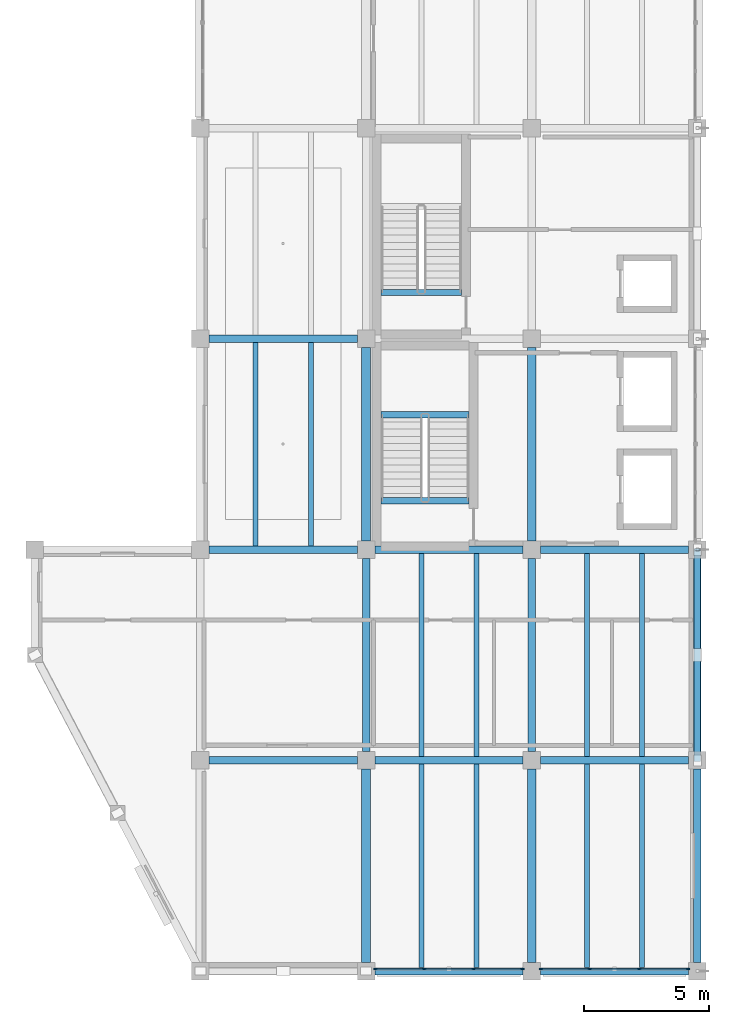
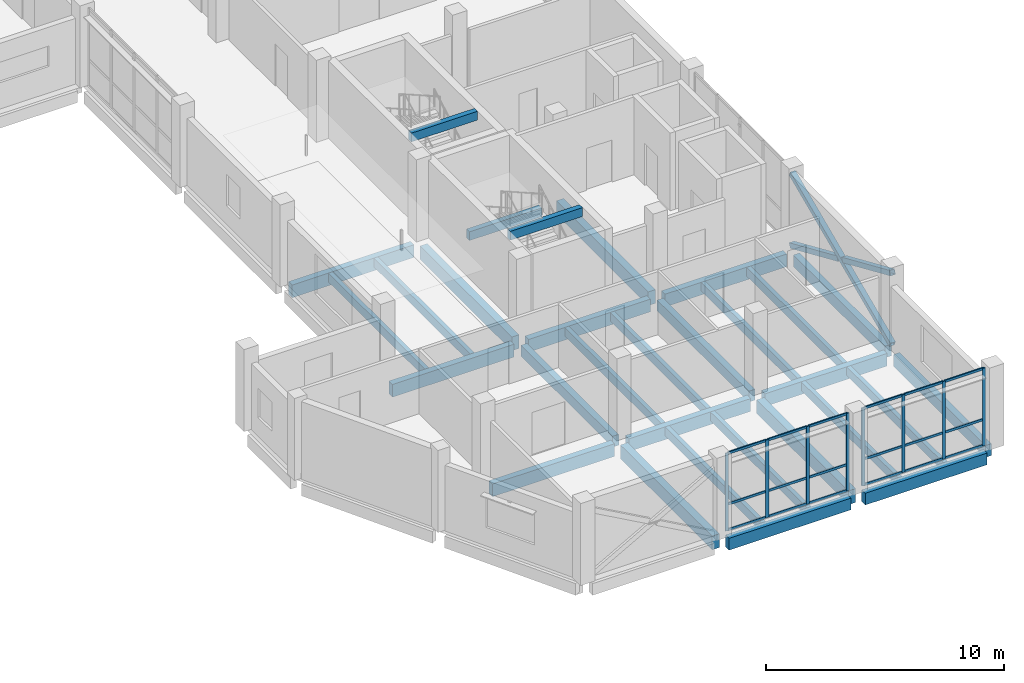
# One storey, part 16 of 47: 30 beams, 29 members, 2 elements without a shape of their own.
"""IFC4 building model written with IfcOpenShell, lengths in metres."""

from ifc_helpers import new_model, si_unit, direction, frame, origin, origin_2d, place, context, subcontext, project, spatial, rectangle, hollow_rectangle, extrude, material, material_profile, profile_set, type_object, element, aggregate, save


model = new_model("IFC4")

# Units and contexts
model_context = context("Model", 3, precision=1e-05, world=origin(), true_north=direction((0.0, 1.0)))
body_context = subcontext(model_context, "Body", "Model", "MODEL_VIEW")
ifc_project = project(units=[si_unit("LENGTHUNIT", "METRE"), si_unit("AREAUNIT", "SQUARE_METRE"), si_unit("VOLUMEUNIT", "CUBIC_METRE"), si_unit("PLANEANGLEUNIT", "RADIAN"), si_unit("MASSUNIT", "GRAM", prefix="KILO")], contexts=[model_context])

# Site, building, storey
site_placement = place(None, origin())
site = spatial("IfcSite", under=ifc_project, at=site_placement, CompositionType="ELEMENT")
building_placement = place(site_placement, origin())
building = spatial("IfcBuilding", under=site, at=building_placement, Name="Qaldarim Faculty of Natural and Applied Sciences", CompositionType="ELEMENT")
storey_placement = place(building_placement, frame((0.0, 0.0, 22.800048828125)))
storey = spatial("IfcBuildingStorey", under=building, at=storey_placement, Name="L05", CompositionType="ELEMENT", Elevation=22.800048828125)

# Beams
ifc_material_1 = material(Name="Concrete C40/50", Category="concrete")
ifc_material_profile_1 = material_profile(ifc_material_1, rectangle(XDim=0.300048828125, YDim=0.550048828125, at=origin_2d()), Name="RC-B300x550")
ifc_profile_set_1 = profile_set([ifc_material_profile_1], Name="Concrete C40/50")
beam_type_1 = type_object("IfcBeamType", Name="FloorBeam-RC300x550", PredefinedType="BEAM", material=ifc_profile_set_1)
for number, where, z_axis, x_axis, name in (
    (1, (165.0, 8.75, -0.53515625), (0.0, 1.0, 0.0), (-1.0, 0.0, 0.0), "Beam RC-B300x550 L04 X26/Y02-Y03"),
    (2, (171.60009765625, 8.75, -0.53515625), (0.0, 1.0, 0.0), (-1.0, 0.0, 0.0), "Beam RC-B300x550 L04 X27/Y02-Y03"),
):
    element("IfcBeam", number, at=place(storey_placement, frame(where, z_axis=z_axis, x_axis=x_axis)), inside=storey, type_object=beam_type_1, Name=name, PredefinedType="BEAM", context=body_context, shape_type="SweptSolid", body=[
        extrude(rectangle(XDim=0.300048828125, YDim=0.550048828125, at=origin_2d()), origin(), (0.0, 0.0, 1.0), 7.699951171875),
    ])
ifc_material_profile_2 = material_profile(ifc_material_1, rectangle(XDim=0.199951171875, YDim=0.449951171875, at=origin_2d()), Name="RC-J200x450")
ifc_profile_set_2 = profile_set([ifc_material_profile_2], Name="Concrete C40/50")
beam_type_2 = type_object("IfcBeamType", Name="LabJoist-RC200x450", PredefinedType="JOIST", material=ifc_profile_set_2)
for number, where, z_axis, x_axis, name in (
    (3, (160.60009765625, 16.949951171875, -0.485107421875), (0.0, 1.0, 0.0), (-1.0, 0.0, 0.0), "Laboratory joist L04 bay X25Y03-1"),
    (4, (162.800048828125, 16.949951171875, -0.485107421875), (0.0, 1.0, 0.0), (-1.0, 0.0, 0.0), "Laboratory joist L04 bay X25Y03-2"),
    (5, (167.199951171875, 0.14990234375, -0.485107421875), (0.0, 1.0, 0.0), (-1.0, 0.0, 0.0), "Laboratory joist L04 bay X26Y01-1"),
    (6, (169.39990234375, 0.14990234375, -0.485107421875), (0.0, 1.0, 0.0), (-1.0, 0.0, 0.0), "Laboratory joist L04 bay X26Y01-2"),
):
    element("IfcBeam", number, at=place(storey_placement, frame(where, z_axis=z_axis, x_axis=x_axis)), inside=storey, type_object=beam_type_2, Name=name, PredefinedType="JOIST", context=body_context, shape_type="SweptSolid", body=[
        extrude(rectangle(XDim=0.199951171875, YDim=0.449951171875, at=origin_2d()), origin(), (0.0, 0.0, 1.0), 8.10009765625),
    ])
for number, where, z_axis, x_axis, name in (
    (7, (167.199951171875, 8.550048828125, -0.485107421875), (0.0, 1.0, 0.0), (-1.0, 0.0, 0.0), "Laboratory joist L04 bay X26Y02-1"),
    (8, (169.39990234375, 8.550048828125, -0.485107421875), (0.0, 1.0, 0.0), (-1.0, 0.0, 0.0), "Laboratory joist L04 bay X26Y02-2"),
):
    element("IfcBeam", number, at=place(storey_placement, frame(where, z_axis=z_axis, x_axis=x_axis)), inside=storey, type_object=beam_type_2, Name=name, PredefinedType="JOIST", context=body_context, shape_type="SweptSolid", body=[
        extrude(rectangle(XDim=0.199951171875, YDim=0.449951171875, at=origin_2d()), origin(), (0.0, 0.0, 1.0), 8.099853515625),
    ])
for number, where, z_axis, x_axis, name in (
    (9, (173.800048828125, 0.14990234375, -0.485107421875), (0.0, 1.0, 0.0), (-1.0, 0.0, 0.0), "Laboratory joist L04 bay X27Y01-1"),
    (10, (176.0, 0.14990234375, -0.485107421875), (0.0, 1.0, 0.0), (-1.0, 0.0, 0.0), "Laboratory joist L04 bay X27Y01-2"),
):
    element("IfcBeam", number, at=place(storey_placement, frame(where, z_axis=z_axis, x_axis=x_axis)), inside=storey, type_object=beam_type_2, Name=name, PredefinedType="JOIST", context=body_context, shape_type="SweptSolid", body=[
        extrude(rectangle(XDim=0.199951171875, YDim=0.449951171875, at=origin_2d()), origin(), (0.0, 0.0, 1.0), 8.10009765625),
    ])
for number, where, z_axis, x_axis, name in (
    (11, (173.800048828125, 8.550048828125, -0.485107421875), (0.0, 1.0, 0.0), (-1.0, 0.0, 0.0), "Laboratory joist L04 bay X27Y02-1"),
    (12, (176.0, 8.550048828125, -0.485107421875), (0.0, 1.0, 0.0), (-1.0, 0.0, 0.0), "Laboratory joist L04 bay X27Y02-2"),
):
    element("IfcBeam", number, at=place(storey_placement, frame(where, z_axis=z_axis, x_axis=x_axis)), inside=storey, type_object=beam_type_2, Name=name, PredefinedType="JOIST", context=body_context, shape_type="SweptSolid", body=[
        extrude(rectangle(XDim=0.199951171875, YDim=0.449951171875, at=origin_2d()), origin(), (0.0, 0.0, 1.0), 8.099853515625),
    ])
ifc_material_profile_3 = material_profile(ifc_material_1, rectangle(XDim=0.25, YDim=0.449951171875, at=origin_2d()), Name="RC-LN250x450")
ifc_profile_set_3 = profile_set([ifc_material_profile_3], Name="Concrete C40/50")
beam_type_3 = type_object("IfcBeamType", Name="LandingSupportBeam-RC250x450", PredefinedType="BEAM", material=ifc_profile_set_3)
for number, where, z_axis, x_axis, name in (
    (13, (165.60009765625, 22.169921875, 1.6650390625), (1.0, 0.0, 0.0), (0.0, 1.0, 0.0), "Stair landing support beam ST-A1 L05"),
    (14, (165.60009765625, 18.75, 3.7548828125), (1.0, 0.0, 0.0), (0.0, 1.0, 0.0), "Stair arrival support beam ST-A1 L05"),
):
    element("IfcBeam", number, at=place(storey_placement, frame(where, z_axis=z_axis, x_axis=x_axis)), inside=storey, type_object=beam_type_3, Name=name, PredefinedType="BEAM", context=body_context, shape_type="SweptSolid", body=[
        extrude(rectangle(XDim=0.25, YDim=0.449951171875, at=origin_2d()), origin(), (0.0, 0.0, 1.0), 3.5),
    ])
beam_1_placement = place(storey_placement, frame((165.60009765625, 27.050048828125, 3.7548828125), z_axis=(1.0, 0.0, 0.0), x_axis=(0.0, 1.0, 0.0)))
element("IfcBeam", 15, at=beam_1_placement, inside=storey, type_object=beam_type_3, Name="Stair arrival support beam ST-A2 L05", PredefinedType="BEAM", context=body_context, shape_type="SweptSolid", body=[
    extrude(rectangle(XDim=0.25, YDim=0.449951171875, at=origin_2d()), origin(), (0.0, 0.0, 1.0), 3.199951171875),
])

# Members
ifc_material_2 = material(Name="Structural steel S355", Category="steel")
ifc_material_profile_4 = material_profile(ifc_material_2, hollow_rectangle(XDim=0.25, YDim=0.25, WallThickness=0.01611328125, at=origin_2d()), Name="SHS 250x250x16.0")
ifc_profile_set_4 = profile_set([ifc_material_profile_4], Name="Structural steel S355")
member_type_1 = type_object("IfcMemberType", Name="MidWingBrace-SHS250x16", PredefinedType="BRACE", material=ifc_profile_set_4)
member_1_placement = place(storey_placement, frame((178.199951171875, 8.39990234375, 0.0), z_axis=(0.0, 0.915962323067, 0.401264280396), x_axis=(-1.0, 0.0, 0.0)))
element("IfcMember", 16, at=member_1_placement, inside=storey, type_object=member_type_1, Name="East diagrid L05 primary brace L", PredefinedType="BRACE", context=body_context, shape_type="SweptSolid", body=[
    extrude(hollow_rectangle(XDim=0.25, YDim=0.25, WallThickness=0.01611328125, at=origin_2d()), origin(), (0.0, 0.0, 1.0), 9.1708984375),
])
for number, where, z_axis, x_axis, name in (
    (17, (178.199951171875, 16.800048828125, 0.0), (0.0, -0.916157334902, 0.40081883402), (1.0, 0.0, 0.0), "East diagrid L05 split secondary lower brace R1"),
    (18, (178.199951171875, 12.39990234375, 1.929931640625), (0.0, -0.916157334902, 0.40081883402), (1.0, 0.0, 0.0), "East diagrid L05 split secondary upper brace R2"),
):
    element("IfcMember", number, at=place(storey_placement, frame(where, z_axis=z_axis, x_axis=x_axis)), inside=storey, type_object=member_type_1, Name=name, PredefinedType="BRACE", context=body_context, shape_type="SweptSolid", body=[
        extrude(hollow_rectangle(XDim=0.25, YDim=0.25, WallThickness=0.01611328125, at=origin_2d()), origin(), (0.0, 0.0, 1.0), 4.365966796875),
    ])

# Curtain wall, members
ifc_material_3 = material(Name="Anodised aluminium AW-6063", Category="aluminium")
curtain_wall_type = type_object("IfcCurtainWallType", Name="CurtainWallSystem-M1800", PredefinedType="USERDEFINED", material=ifc_material_3)
curtain_wall_1_placement = place(storey_placement, origin())
curtain_wall_1 = element("IfcCurtainWall", 19, at=curtain_wall_1_placement, inside=storey, type_object=curtain_wall_type, Name="Curtain wall CW-L05-S-X26Y01", ObjectType="UNITISED FACADE", PredefinedType="USERDEFINED")
ifc_material_profile_5 = material_profile(ifc_material_3, rectangle(XDim=0.06005859375, YDim=0.14990234375, at=origin_2d()), Name="ALU-M60x150")
ifc_profile_set_5 = profile_set([ifc_material_profile_5], Name="Anodised aluminium AW-6063")
member_type_2 = type_object("IfcMemberType", Name="Mullion-ALU60x150", PredefinedType="MULLION", material=ifc_profile_set_5)
member_2_placement = place(storey_placement, frame((165.375, 0.080078125, 0.0), z_axis=(0.0, 0.0, 1.0), x_axis=(0.0, 1.0, 0.0)))
member_2 = element("IfcMember", 20, at=member_2_placement, type_object=member_type_2, Name="Mullion 1 of CW-L05-S-X26Y01", PredefinedType="MULLION", context=body_context, shape_type="SweptSolid", body=[
    extrude(rectangle(XDim=0.06005859375, YDim=0.14990234375, at=origin_2d()), origin(), (0.0, 0.0, 1.0), 3.97998046875),
])
member_3_placement = place(storey_placement, frame((167.31494140625, 0.080078125, 0.0), z_axis=(0.0, 0.0, 1.0), x_axis=(0.0, 1.0, 0.0)))
member_3 = element("IfcMember", 21, at=member_3_placement, type_object=member_type_2, Name="Mullion 2 of CW-L05-S-X26Y01", PredefinedType="MULLION", context=body_context, shape_type="SweptSolid", body=[
    extrude(rectangle(XDim=0.06005859375, YDim=0.14990234375, at=origin_2d()), origin(), (0.0, 0.0, 1.0), 3.97998046875),
])
member_4_placement = place(storey_placement, frame((169.284912109375, 0.080078125, 0.0), z_axis=(0.0, 0.0, 1.0), x_axis=(0.0, 1.0, 0.0)))
member_4 = element("IfcMember", 22, at=member_4_placement, type_object=member_type_2, Name="Mullion 3 of CW-L05-S-X26Y01", PredefinedType="MULLION", context=body_context, shape_type="SweptSolid", body=[
    extrude(rectangle(XDim=0.06005859375, YDim=0.14990234375, at=origin_2d()), origin(), (0.0, 0.0, 1.0), 3.97998046875),
])
member_5_placement = place(storey_placement, frame((171.22509765625, 0.080078125, 0.0), z_axis=(0.0, 0.0, 1.0), x_axis=(0.0, 1.0, 0.0)))
member_5 = element("IfcMember", 23, at=member_5_placement, type_object=member_type_2, Name="Mullion 4 of CW-L05-S-X26Y01", PredefinedType="MULLION", context=body_context, shape_type="SweptSolid", body=[
    extrude(rectangle(XDim=0.06005859375, YDim=0.14990234375, at=origin_2d()), origin(), (0.0, 0.0, 1.0), 3.97998046875),
])

curtain_wall_2_placement = place(storey_placement, origin())
curtain_wall_2 = element("IfcCurtainWall", 24, at=curtain_wall_2_placement, inside=storey, type_object=curtain_wall_type, Name="Curtain wall CW-L05-S-X27Y01", ObjectType="UNITISED FACADE", PredefinedType="USERDEFINED")
member_6_placement = place(storey_placement, frame((171.97509765625, 0.080078125, 0.0), z_axis=(0.0, 0.0, 1.0), x_axis=(0.0, 1.0, 0.0)))
member_6 = element("IfcMember", 25, at=member_6_placement, type_object=member_type_2, Name="Mullion 1 of CW-L05-S-X27Y01", PredefinedType="MULLION", context=body_context, shape_type="SweptSolid", body=[
    extrude(rectangle(XDim=0.06005859375, YDim=0.14990234375, at=origin_2d()), origin(), (0.0, 0.0, 1.0), 3.97998046875),
])
member_7_placement = place(storey_placement, frame((173.9150390625, 0.080078125, 0.0), z_axis=(0.0, 0.0, 1.0), x_axis=(0.0, 1.0, 0.0)))
member_7 = element("IfcMember", 26, at=member_7_placement, type_object=member_type_2, Name="Mullion 2 of CW-L05-S-X27Y01", PredefinedType="MULLION", context=body_context, shape_type="SweptSolid", body=[
    extrude(rectangle(XDim=0.06005859375, YDim=0.14990234375, at=origin_2d()), origin(), (0.0, 0.0, 1.0), 3.97998046875),
])
member_8_placement = place(storey_placement, frame((175.885009765625, 0.080078125, 0.0), z_axis=(0.0, 0.0, 1.0), x_axis=(0.0, 1.0, 0.0)))
member_8 = element("IfcMember", 27, at=member_8_placement, type_object=member_type_2, Name="Mullion 3 of CW-L05-S-X27Y01", PredefinedType="MULLION", context=body_context, shape_type="SweptSolid", body=[
    extrude(rectangle(XDim=0.06005859375, YDim=0.14990234375, at=origin_2d()), origin(), (0.0, 0.0, 1.0), 3.97998046875),
])
member_9_placement = place(storey_placement, frame((177.824951171875, 0.080078125, 0.0), z_axis=(0.0, 0.0, 1.0), x_axis=(0.0, 1.0, 0.0)))
member_9 = element("IfcMember", 28, at=member_9_placement, type_object=member_type_2, Name="Mullion 4 of CW-L05-S-X27Y01", PredefinedType="MULLION", context=body_context, shape_type="SweptSolid", body=[
    extrude(rectangle(XDim=0.06005859375, YDim=0.14990234375, at=origin_2d()), origin(), (0.0, 0.0, 1.0), 3.97998046875),
])

# Beams
ifc_material_profile_6 = material_profile(ifc_material_1, rectangle(XDim=0.300048828125, YDim=0.64990234375, at=origin_2d()), Name="RC-B300x650")
ifc_profile_set_6 = profile_set([ifc_material_profile_6], Name="Concrete C40/50")
beam_type_4 = type_object("IfcBeamType", Name="PrimaryBeam-RC300x650", PredefinedType="BEAM", material=ifc_profile_set_6)
for number, where, z_axis, x_axis, name in (
    (29, (158.75, 8.39990234375, -0.5849609375), (1.0, 0.0, 0.0), (0.0, 1.0, 0.0), "Beam RC-B300x650 L04 X25-X26/Y02"),
    (30, (165.35009765625, 8.39990234375, -0.5849609375), (1.0, 0.0, 0.0), (0.0, 1.0, 0.0), "Beam RC-B300x650 L04 X26-X27/Y02"),
):
    element("IfcBeam", number, at=place(storey_placement, frame(where, z_axis=z_axis, x_axis=x_axis)), inside=storey, type_object=beam_type_4, Name=name, PredefinedType="BEAM", context=body_context, shape_type="SweptSolid", body=[
        extrude(rectangle(XDim=0.300048828125, YDim=0.64990234375, at=origin_2d()), origin(), (0.0, 0.0, 1.0), 5.89990234375),
    ])
beam_2_placement = place(storey_placement, frame((171.949951171875, 8.39990234375, -0.5849609375), z_axis=(1.0, 0.0, 0.0), x_axis=(0.0, 1.0, 0.0)))
element("IfcBeam", 31, at=beam_2_placement, inside=storey, type_object=beam_type_4, Name="Beam RC-B300x650 L04 X27-X28/Y02", PredefinedType="BEAM", context=body_context, shape_type="SweptSolid", body=[
    extrude(rectangle(XDim=0.300048828125, YDim=0.64990234375, at=origin_2d()), origin(), (0.0, 0.0, 1.0), 5.900146484375),
])
for number, where, z_axis, x_axis, name in (
    (32, (158.75, 16.800048828125, -0.5849609375), (1.0, 0.0, 0.0), (0.0, 1.0, 0.0), "Beam RC-B300x650 L04 X25-X26/Y03"),
    (33, (165.35009765625, 16.800048828125, -0.5849609375), (1.0, 0.0, 0.0), (0.0, 1.0, 0.0), "Beam RC-B300x650 L04 X26-X27/Y03"),
):
    element("IfcBeam", number, at=place(storey_placement, frame(where, z_axis=z_axis, x_axis=x_axis)), inside=storey, type_object=beam_type_4, Name=name, PredefinedType="BEAM", context=body_context, shape_type="SweptSolid", body=[
        extrude(rectangle(XDim=0.300048828125, YDim=0.64990234375, at=origin_2d()), origin(), (0.0, 0.0, 1.0), 5.89990234375),
    ])
beam_3_placement = place(storey_placement, frame((171.949951171875, 16.800048828125, -0.5849609375), z_axis=(1.0, 0.0, 0.0), x_axis=(0.0, 1.0, 0.0)))
element("IfcBeam", 34, at=beam_3_placement, inside=storey, type_object=beam_type_4, Name="Beam RC-B300x650 L04 X27-X28/Y03", PredefinedType="BEAM", context=body_context, shape_type="SweptSolid", body=[
    extrude(rectangle(XDim=0.300048828125, YDim=0.64990234375, at=origin_2d()), origin(), (0.0, 0.0, 1.0), 5.900146484375),
])
beam_4_placement = place(storey_placement, frame((158.75, 25.199951171875, -0.5849609375), z_axis=(1.0, 0.0, 0.0), x_axis=(0.0, 1.0, 0.0)))
element("IfcBeam", 35, at=beam_4_placement, inside=storey, type_object=beam_type_4, Name="Beam RC-B300x650 L04 X25-X26/Y04", PredefinedType="BEAM", context=body_context, shape_type="SweptSolid", body=[
    extrude(rectangle(XDim=0.300048828125, YDim=0.64990234375, at=origin_2d()), origin(), (0.0, 0.0, 1.0), 5.89990234375),
])
ifc_material_profile_7 = material_profile(ifc_material_1, rectangle(XDim=0.35009765625, YDim=0.699951171875, at=origin_2d()), Name="RC-B350x700")
ifc_profile_set_7 = profile_set([ifc_material_profile_7], Name="Concrete C40/50")
beam_type_5 = type_object("IfcBeamType", Name="PrimaryGirder-RC350x700", PredefinedType="BEAM", material=ifc_profile_set_7)
beam_5_placement = place(storey_placement, frame((165.0, 0.35009765625, -0.610107421875), z_axis=(0.0, 1.0, 0.0), x_axis=(-1.0, 0.0, 0.0)))
element("IfcBeam", 36, at=beam_5_placement, inside=storey, type_object=beam_type_5, Name="Beam RC-B350x700 L04 X26/Y01-Y02", PredefinedType="BEAM", context=body_context, shape_type="SweptSolid", body=[
    extrude(rectangle(XDim=0.35009765625, YDim=0.699951171875, at=origin_2d()), origin(), (0.0, 0.0, 1.0), 7.699951171875),
])
beam_6_placement = place(storey_placement, frame((165.0, 17.14990234375, -0.610107421875), z_axis=(0.0, 1.0, 0.0), x_axis=(-1.0, 0.0, 0.0)))
element("IfcBeam", 37, at=beam_6_placement, inside=storey, type_object=beam_type_5, Name="Beam RC-B350x700 L04 X26/Y03-Y04", PredefinedType="BEAM", context=body_context, shape_type="SweptSolid", body=[
    extrude(rectangle(XDim=0.35009765625, YDim=0.699951171875, at=origin_2d()), origin(), (0.0, 0.0, 1.0), 7.7001953125),
])
beam_7_placement = place(storey_placement, frame((171.60009765625, 0.35009765625, -0.610107421875), z_axis=(0.0, 1.0, 0.0), x_axis=(-1.0, 0.0, 0.0)))
element("IfcBeam", 38, at=beam_7_placement, inside=storey, type_object=beam_type_5, Name="Beam RC-B350x700 L04 X27/Y01-Y02", PredefinedType="BEAM", context=body_context, shape_type="SweptSolid", body=[
    extrude(rectangle(XDim=0.35009765625, YDim=0.699951171875, at=origin_2d()), origin(), (0.0, 0.0, 1.0), 7.699951171875),
])
beam_8_placement = place(storey_placement, frame((171.60009765625, 17.14990234375, -0.610107421875), z_axis=(0.0, 1.0, 0.0), x_axis=(-1.0, 0.0, 0.0)))
element("IfcBeam", 39, at=beam_8_placement, inside=storey, type_object=beam_type_5, Name="Beam RC-B350x700 L04 X27/Y03-Y04", PredefinedType="BEAM", context=body_context, shape_type="SweptSolid", body=[
    extrude(rectangle(XDim=0.35009765625, YDim=0.699951171875, at=origin_2d()), origin(), (0.0, 0.0, 1.0), 7.7001953125),
])
ifc_material_4 = material(Name="Precast concrete C40/50", Category="concrete")
ifc_material_profile_8 = material_profile(ifc_material_4, rectangle(XDim=0.300048828125, YDim=0.60009765625, at=origin_2d()), Name="RC-SP300x600")
ifc_profile_set_8 = profile_set([ifc_material_profile_8], Name="Precast concrete C40/50")
beam_type_6 = type_object("IfcBeamType", Name="SpandrelBeam-RC300x600", PredefinedType="SPANDREL", material=ifc_profile_set_8)
beam_9_placement = place(storey_placement, frame((165.35009765625, 0.0, -0.56005859375), z_axis=(1.0, 0.0, 0.0), x_axis=(0.0, 1.0, 0.0)))
element("IfcBeam", 40, at=beam_9_placement, inside=storey, type_object=beam_type_6, Name="Beam RC-SP300x600 L04 X26-X27/Y01", PredefinedType="SPANDREL", context=body_context, shape_type="SweptSolid", body=[
    extrude(rectangle(XDim=0.300048828125, YDim=0.60009765625, at=origin_2d()), origin(), (0.0, 0.0, 1.0), 5.89990234375),
])
beam_10_placement = place(storey_placement, frame((171.949951171875, 0.0, -0.56005859375), z_axis=(1.0, 0.0, 0.0), x_axis=(0.0, 1.0, 0.0)))
element("IfcBeam", 41, at=beam_10_placement, inside=storey, type_object=beam_type_6, Name="Beam RC-SP300x600 L04 X27-X28/Y01", PredefinedType="SPANDREL", context=body_context, shape_type="SweptSolid", body=[
    extrude(rectangle(XDim=0.300048828125, YDim=0.60009765625, at=origin_2d()), origin(), (0.0, 0.0, 1.0), 5.900146484375),
])
for number, where, z_axis, x_axis, name in (
    (42, (178.199951171875, 0.35009765625, -0.56005859375), (0.0, 1.0, 0.0), (-1.0, 0.0, 0.0), "Beam RC-SP300x600 L04 X28/Y01-Y02"),
    (43, (178.199951171875, 8.75, -0.56005859375), (0.0, 1.0, 0.0), (-1.0, 0.0, 0.0), "Beam RC-SP300x600 L04 X28/Y02-Y03"),
):
    element("IfcBeam", number, at=place(storey_placement, frame(where, z_axis=z_axis, x_axis=x_axis)), inside=storey, type_object=beam_type_6, Name=name, PredefinedType="SPANDREL", context=body_context, shape_type="SweptSolid", body=[
        extrude(rectangle(XDim=0.300048828125, YDim=0.60009765625, at=origin_2d()), origin(), (0.0, 0.0, 1.0), 7.699951171875),
    ])

# Member
ifc_material_profile_9 = material_profile(ifc_material_3, rectangle(XDim=0.06005859375, YDim=0.1201171875, at=origin_2d()), Name="ALU-T60x120")
ifc_profile_set_9 = profile_set([ifc_material_profile_9], Name="Anodised aluminium AW-6063")
member_type_3 = type_object("IfcMemberType", Name="Transom-ALU60x120", PredefinedType="USERDEFINED", material=ifc_profile_set_9)
member_10_placement = place(storey_placement, frame((165.405029296875, 0.080078125, 0.030029296875), z_axis=(1.0, 0.0, 0.0), x_axis=(0.0, 1.0, 0.0)))
member_10 = element("IfcMember", 44, at=member_10_placement, type_object=member_type_3, Name="Transom 1-1 of CW-L05-S-X26Y01", ObjectType="TRANSOM", PredefinedType="USERDEFINED", context=body_context, shape_type="SweptSolid", body=[
    extrude(rectangle(XDim=0.06005859375, YDim=0.1201171875, at=origin_2d()), origin(), (0.0, 0.0, 1.0), 1.8798828125),
])

member_11_placement = place(storey_placement, frame((165.405029296875, 0.080078125, 1.349853515625), z_axis=(1.0, 0.0, 0.0), x_axis=(0.0, 1.0, 0.0)))
member_11 = element("IfcMember", 45, at=member_11_placement, type_object=member_type_3, Name="Transom 1-2 of CW-L05-S-X26Y01", ObjectType="TRANSOM", PredefinedType="USERDEFINED", context=body_context, shape_type="SweptSolid", body=[
    extrude(rectangle(XDim=0.06005859375, YDim=0.1201171875, at=origin_2d()), origin(), (0.0, 0.0, 1.0), 1.8798828125),
])

member_12_placement = place(storey_placement, frame((165.405029296875, 0.080078125, 3.949951171875), z_axis=(1.0, 0.0, 0.0), x_axis=(0.0, 1.0, 0.0)))
member_12 = element("IfcMember", 46, at=member_12_placement, type_object=member_type_3, Name="Transom 1-3 of CW-L05-S-X26Y01", ObjectType="TRANSOM", PredefinedType="USERDEFINED", context=body_context, shape_type="SweptSolid", body=[
    extrude(rectangle(XDim=0.06005859375, YDim=0.1201171875, at=origin_2d()), origin(), (0.0, 0.0, 1.0), 1.8798828125),
])

member_13_placement = place(storey_placement, frame((167.344970703125, 0.080078125, 0.030029296875), z_axis=(1.0, 0.0, 0.0), x_axis=(0.0, 1.0, 0.0)))
member_13 = element("IfcMember", 47, at=member_13_placement, type_object=member_type_3, Name="Transom 2-1 of CW-L05-S-X26Y01", ObjectType="TRANSOM", PredefinedType="USERDEFINED", context=body_context, shape_type="SweptSolid", body=[
    extrude(rectangle(XDim=0.06005859375, YDim=0.1201171875, at=origin_2d()), origin(), (0.0, 0.0, 1.0), 1.909912109375),
])

member_14_placement = place(storey_placement, frame((167.344970703125, 0.080078125, 1.349853515625), z_axis=(1.0, 0.0, 0.0), x_axis=(0.0, 1.0, 0.0)))
member_14 = element("IfcMember", 48, at=member_14_placement, type_object=member_type_3, Name="Transom 2-2 of CW-L05-S-X26Y01", ObjectType="TRANSOM", PredefinedType="USERDEFINED", context=body_context, shape_type="SweptSolid", body=[
    extrude(rectangle(XDim=0.06005859375, YDim=0.1201171875, at=origin_2d()), origin(), (0.0, 0.0, 1.0), 1.909912109375),
])

member_15_placement = place(storey_placement, frame((167.344970703125, 0.080078125, 3.949951171875), z_axis=(1.0, 0.0, 0.0), x_axis=(0.0, 1.0, 0.0)))
member_15 = element("IfcMember", 49, at=member_15_placement, type_object=member_type_3, Name="Transom 2-3 of CW-L05-S-X26Y01", ObjectType="TRANSOM", PredefinedType="USERDEFINED", context=body_context, shape_type="SweptSolid", body=[
    extrude(rectangle(XDim=0.06005859375, YDim=0.1201171875, at=origin_2d()), origin(), (0.0, 0.0, 1.0), 1.909912109375),
])

member_16_placement = place(storey_placement, frame((169.31494140625, 0.080078125, 0.030029296875), z_axis=(1.0, 0.0, 0.0), x_axis=(0.0, 1.0, 0.0)))
member_16 = element("IfcMember", 50, at=member_16_placement, type_object=member_type_3, Name="Transom 3-1 of CW-L05-S-X26Y01", ObjectType="TRANSOM", PredefinedType="USERDEFINED", context=body_context, shape_type="SweptSolid", body=[
    extrude(rectangle(XDim=0.06005859375, YDim=0.1201171875, at=origin_2d()), origin(), (0.0, 0.0, 1.0), 1.880126953125),
])

member_17_placement = place(storey_placement, frame((169.31494140625, 0.080078125, 1.349853515625), z_axis=(1.0, 0.0, 0.0), x_axis=(0.0, 1.0, 0.0)))
member_17 = element("IfcMember", 51, at=member_17_placement, type_object=member_type_3, Name="Transom 3-2 of CW-L05-S-X26Y01", ObjectType="TRANSOM", PredefinedType="USERDEFINED", context=body_context, shape_type="SweptSolid", body=[
    extrude(rectangle(XDim=0.06005859375, YDim=0.1201171875, at=origin_2d()), origin(), (0.0, 0.0, 1.0), 1.880126953125),
])

member_18_placement = place(storey_placement, frame((169.31494140625, 0.080078125, 3.949951171875), z_axis=(1.0, 0.0, 0.0), x_axis=(0.0, 1.0, 0.0)))
member_18 = element("IfcMember", 52, at=member_18_placement, type_object=member_type_3, Name="Transom 3-3 of CW-L05-S-X26Y01", ObjectType="TRANSOM", PredefinedType="USERDEFINED", context=body_context, shape_type="SweptSolid", body=[
    extrude(rectangle(XDim=0.06005859375, YDim=0.1201171875, at=origin_2d()), origin(), (0.0, 0.0, 1.0), 1.880126953125),
])

aggregate(curtain_wall_1, [member_2, member_3, member_4, member_5, member_10, member_11, member_12, member_13, member_14, member_15, member_16, member_17, member_18])

member_19_placement = place(storey_placement, frame((172.0048828125, 0.080078125, 0.030029296875), z_axis=(1.0, 0.0, 0.0), x_axis=(0.0, 1.0, 0.0)))
member_19 = element("IfcMember", 53, at=member_19_placement, type_object=member_type_3, Name="Transom 1-1 of CW-L05-S-X27Y01", ObjectType="TRANSOM", PredefinedType="USERDEFINED", context=body_context, shape_type="SweptSolid", body=[
    extrude(rectangle(XDim=0.06005859375, YDim=0.1201171875, at=origin_2d()), origin(), (0.0, 0.0, 1.0), 1.880126953125),
])

member_20_placement = place(storey_placement, frame((172.0048828125, 0.080078125, 1.349853515625), z_axis=(1.0, 0.0, 0.0), x_axis=(0.0, 1.0, 0.0)))
member_20 = element("IfcMember", 54, at=member_20_placement, type_object=member_type_3, Name="Transom 1-2 of CW-L05-S-X27Y01", ObjectType="TRANSOM", PredefinedType="USERDEFINED", context=body_context, shape_type="SweptSolid", body=[
    extrude(rectangle(XDim=0.06005859375, YDim=0.1201171875, at=origin_2d()), origin(), (0.0, 0.0, 1.0), 1.880126953125),
])

member_21_placement = place(storey_placement, frame((172.0048828125, 0.080078125, 3.949951171875), z_axis=(1.0, 0.0, 0.0), x_axis=(0.0, 1.0, 0.0)))
member_21 = element("IfcMember", 55, at=member_21_placement, type_object=member_type_3, Name="Transom 1-3 of CW-L05-S-X27Y01", ObjectType="TRANSOM", PredefinedType="USERDEFINED", context=body_context, shape_type="SweptSolid", body=[
    extrude(rectangle(XDim=0.06005859375, YDim=0.1201171875, at=origin_2d()), origin(), (0.0, 0.0, 1.0), 1.880126953125),
])

member_22_placement = place(storey_placement, frame((173.945068359375, 0.080078125, 0.030029296875), z_axis=(1.0, 0.0, 0.0), x_axis=(0.0, 1.0, 0.0)))
member_22 = element("IfcMember", 56, at=member_22_placement, type_object=member_type_3, Name="Transom 2-1 of CW-L05-S-X27Y01", ObjectType="TRANSOM", PredefinedType="USERDEFINED", context=body_context, shape_type="SweptSolid", body=[
    extrude(rectangle(XDim=0.06005859375, YDim=0.1201171875, at=origin_2d()), origin(), (0.0, 0.0, 1.0), 1.909912109375),
])

member_23_placement = place(storey_placement, frame((173.945068359375, 0.080078125, 1.349853515625), z_axis=(1.0, 0.0, 0.0), x_axis=(0.0, 1.0, 0.0)))
member_23 = element("IfcMember", 57, at=member_23_placement, type_object=member_type_3, Name="Transom 2-2 of CW-L05-S-X27Y01", ObjectType="TRANSOM", PredefinedType="USERDEFINED", context=body_context, shape_type="SweptSolid", body=[
    extrude(rectangle(XDim=0.06005859375, YDim=0.1201171875, at=origin_2d()), origin(), (0.0, 0.0, 1.0), 1.909912109375),
])

member_24_placement = place(storey_placement, frame((173.945068359375, 0.080078125, 3.949951171875), z_axis=(1.0, 0.0, 0.0), x_axis=(0.0, 1.0, 0.0)))
member_24 = element("IfcMember", 58, at=member_24_placement, type_object=member_type_3, Name="Transom 2-3 of CW-L05-S-X27Y01", ObjectType="TRANSOM", PredefinedType="USERDEFINED", context=body_context, shape_type="SweptSolid", body=[
    extrude(rectangle(XDim=0.06005859375, YDim=0.1201171875, at=origin_2d()), origin(), (0.0, 0.0, 1.0), 1.909912109375),
])

member_25_placement = place(storey_placement, frame((175.9150390625, 0.080078125, 0.030029296875), z_axis=(1.0, 0.0, 0.0), x_axis=(0.0, 1.0, 0.0)))
member_25 = element("IfcMember", 59, at=member_25_placement, type_object=member_type_3, Name="Transom 3-1 of CW-L05-S-X27Y01", ObjectType="TRANSOM", PredefinedType="USERDEFINED", context=body_context, shape_type="SweptSolid", body=[
    extrude(rectangle(XDim=0.06005859375, YDim=0.1201171875, at=origin_2d()), origin(), (0.0, 0.0, 1.0), 1.8798828125),
])

member_26_placement = place(storey_placement, frame((175.9150390625, 0.080078125, 1.349853515625), z_axis=(1.0, 0.0, 0.0), x_axis=(0.0, 1.0, 0.0)))
member_26 = element("IfcMember", 60, at=member_26_placement, type_object=member_type_3, Name="Transom 3-2 of CW-L05-S-X27Y01", ObjectType="TRANSOM", PredefinedType="USERDEFINED", context=body_context, shape_type="SweptSolid", body=[
    extrude(rectangle(XDim=0.06005859375, YDim=0.1201171875, at=origin_2d()), origin(), (0.0, 0.0, 1.0), 1.8798828125),
])

member_27_placement = place(storey_placement, frame((175.9150390625, 0.080078125, 3.949951171875), z_axis=(1.0, 0.0, 0.0), x_axis=(0.0, 1.0, 0.0)))
member_27 = element("IfcMember", 61, at=member_27_placement, type_object=member_type_3, Name="Transom 3-3 of CW-L05-S-X27Y01", ObjectType="TRANSOM", PredefinedType="USERDEFINED", context=body_context, shape_type="SweptSolid", body=[
    extrude(rectangle(XDim=0.06005859375, YDim=0.1201171875, at=origin_2d()), origin(), (0.0, 0.0, 1.0), 1.8798828125),
])

aggregate(curtain_wall_2, [member_6, member_7, member_8, member_9, member_19, member_20, member_21, member_22, member_23, member_24, member_25, member_26, member_27])

save(model, "model.ifc")
